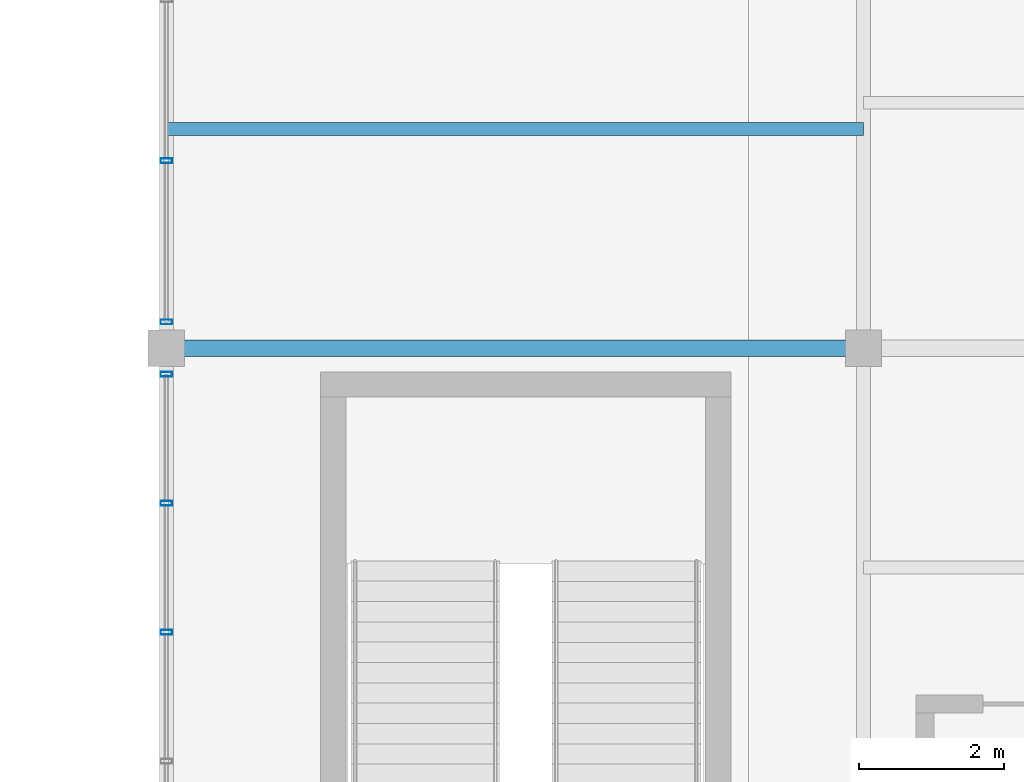
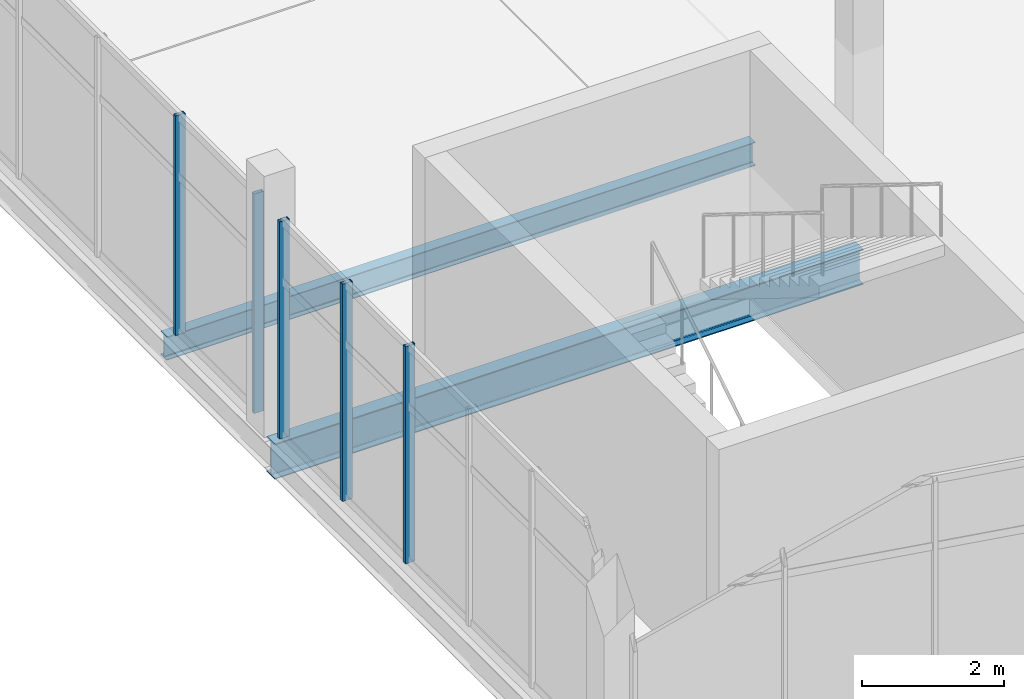
# One storey, part 51 of 114: 5 members, 2 beams, 2 elements without a shape of their own.
"""IFC4 building model written with IfcOpenShell, lengths in metres."""

from ifc_helpers import new_model, si_unit, direction, frame, origin, origin_2d, place, context, subcontext, project, spatial, hollow_rectangle, i_section, extrude, material, layer, layer_set, material_profile, profile_set, type_object, element, aggregate, save


model = new_model("IFC4")

# Units and contexts
model_context = context("Model", 3, precision=1e-05, world=origin(), true_north=direction((0.0, 1.0)))
body_context = subcontext(model_context, "Body", "Model", "MODEL_VIEW")
ifc_project = project(units=[si_unit("LENGTHUNIT", "METRE"), si_unit("AREAUNIT", "SQUARE_METRE"), si_unit("VOLUMEUNIT", "CUBIC_METRE"), si_unit("PLANEANGLEUNIT", "RADIAN"), si_unit("MASSUNIT", "GRAM", prefix="KILO")], contexts=[model_context])

# Site, building, storey
site_placement = place(None, origin())
site = spatial("IfcSite", under=ifc_project, at=site_placement, CompositionType="ELEMENT")
building_placement = place(site_placement, origin())
building = spatial("IfcBuilding", under=site, at=building_placement, Name="Chalmorin Arch Market", CompositionType="ELEMENT")
storey_placement = place(building_placement, frame((0.0, 0.0, 9.60009765625)))
storey = spatial("IfcBuildingStorey", under=building, at=storey_placement, Name="L02", CompositionType="ELEMENT", Elevation=9.60009765625)

# Curtain wall, members
ifc_material_1 = material(Name="Aluminium 6063-T6", Category="aluminium")
ifc_layer_1 = layer(ifc_material_1, 0.159912109375)
ifc_layer_set_1 = layer_set([ifc_layer_1], Name="Aluminium 6063-T6")
curtain_wall_type_1 = type_object("IfcCurtainWallType", Name="CulinaryStudioCurtainWall-CW3-8880x3750", PredefinedType="NOTDEFINED", material=ifc_layer_set_1)
curtain_wall_1_placement = place(storey_placement, origin())
curtain_wall_1 = element("IfcCurtainWall", 1, at=curtain_wall_1_placement, inside=storey, type_object=curtain_wall_type_1, Name="CW-03-108", PredefinedType="NOTDEFINED")
ifc_material_profile_1 = material_profile(ifc_material_1, hollow_rectangle(XDim=0.06494140625, YDim=0.159912109375, WallThickness=0.00390625, at=origin_2d()), Name="ALU65X160X4")
ifc_profile_set_1 = profile_set([ifc_material_profile_1], Name="Aluminium 6063-T6")
member_type = type_object("IfcMemberType", Name="CurtainWallMullion-65x160", PredefinedType="MULLION", material=ifc_profile_set_1)
member_1_placement = place(storey_placement, frame((48.0, 77.68798828125, 0.0), z_axis=(0.0, 0.0, 1.0), x_axis=(0.0, 1.0, 0.0)))
member_1 = element("IfcMember", 2, at=member_1_placement, type_object=member_type, Name="ML-108-04", PredefinedType="MULLION", context=body_context, shape_type="SweptSolid", body=[
    extrude(hollow_rectangle(XDim=0.06494140625, YDim=0.159912109375, WallThickness=0.00390625, at=origin_2d()), origin(), (0.0, 0.0, 1.0), 3.745849609375),
])
member_2_placement = place(storey_placement, frame((48.0, 79.464111328125, 0.0), z_axis=(0.0, 0.0, 1.0), x_axis=(0.0, 1.0, 0.0)))
member_2 = element("IfcMember", 3, at=member_2_placement, type_object=member_type, Name="ML-108-05", PredefinedType="MULLION", context=body_context, shape_type="SweptSolid", body=[
    extrude(hollow_rectangle(XDim=0.06494140625, YDim=0.159912109375, WallThickness=0.00390625, at=origin_2d()), origin(), (0.0, 0.0, 1.0), 3.745849609375),
])
member_3_placement = place(storey_placement, frame((48.0, 81.239990234375, 0.0), z_axis=(0.0, 0.0, 1.0), x_axis=(0.0, 1.0, 0.0)))
member_3 = element("IfcMember", 4, at=member_3_placement, type_object=member_type, Name="ML-108-06", PredefinedType="MULLION", context=body_context, shape_type="SweptSolid", body=[
    extrude(hollow_rectangle(XDim=0.06494140625, YDim=0.159912109375, WallThickness=0.00390625, at=origin_2d()), origin(), (0.0, 0.0, 1.0), 3.745849609375),
])
aggregate(curtain_wall_1, [member_1, member_2, member_3])

ifc_layer_2 = layer(ifc_material_1, 0.159912109375)
ifc_layer_set_2 = layer_set([ifc_layer_2], Name="Aluminium 6063-T6")
curtain_wall_type_2 = type_object("IfcCurtainWallType", Name="CulinaryStudioCurtainWall-CW3-8880x3790", PredefinedType="NOTDEFINED", material=ifc_layer_set_2)
curtain_wall_2_placement = place(storey_placement, origin())
curtain_wall_2 = element("IfcCurtainWall", 5, at=curtain_wall_2_placement, inside=storey, type_object=curtain_wall_type_2, Name="CW-03-111", PredefinedType="NOTDEFINED")
member_4_placement = place(storey_placement, frame((48.0, 81.9599609375, 0.0), z_axis=(0.0, 0.0, 1.0), x_axis=(0.0, 1.0, 0.0)))
member_4 = element("IfcMember", 6, at=member_4_placement, type_object=member_type, Name="ML-111-01", PredefinedType="MULLION", context=body_context, shape_type="SweptSolid", body=[
    extrude(hollow_rectangle(XDim=0.06494140625, YDim=0.159912109375, WallThickness=0.00390625, at=origin_2d()), origin(), (0.0, 0.0, 1.0), 3.785888671875),
])
member_5_placement = place(storey_placement, frame((48.0, 84.179931640625, 0.0), z_axis=(0.0, 0.0, 1.0), x_axis=(0.0, 1.0, 0.0)))
member_5 = element("IfcMember", 7, at=member_5_placement, type_object=member_type, Name="ML-111-02", PredefinedType="MULLION", context=body_context, shape_type="SweptSolid", body=[
    extrude(hollow_rectangle(XDim=0.06494140625, YDim=0.159912109375, WallThickness=0.00390625, at=origin_2d()), origin(), (0.0, 0.0, 1.0), 3.785888671875),
])
aggregate(curtain_wall_2, [member_4, member_5])

# Beams
ifc_material_2 = material(Name="Steel A992 Grade 50", Category="steel")
ifc_material_profile_2 = material_profile(ifc_material_2, i_section(OverallWidth=0.22802734375, OverallDepth=0.60791015625, WebThickness=0.01123046875, FlangeThickness=0.017333984375, FilletRadius=0.02392578125, at=origin_2d()), Name="W24X76")
ifc_profile_set_2 = profile_set([ifc_material_profile_2], Name="Steel A992 Grade 50")
beam_type_1 = type_object("IfcBeamType", Name="PrimarySteelGirder-W24X76", PredefinedType="BEAM", material=ifc_profile_set_2)
beam_1_placement = place(storey_placement, frame((48.0, 81.60009765625, -0.586181640625), z_axis=(1.0, 0.0, 0.0), x_axis=(0.0, 1.0, 0.0)))
element("IfcBeam", 8, at=beam_1_placement, inside=storey, type_object=beam_type_1, Name="BG-W24B-1220", PredefinedType="BEAM", context=body_context, shape_type="SweptSolid", body=[
    extrude(i_section(OverallWidth=0.22802734375, OverallDepth=0.60791015625, WebThickness=0.01123046875, FlangeThickness=0.017333984375, FilletRadius=0.02392578125, at=origin_2d()), origin(), (0.0, 0.0, 1.0), 9.60009765625),
])
ifc_material_profile_3 = material_profile(ifc_material_2, i_section(OverallWidth=0.177978515625, OverallDepth=0.403076171875, WebThickness=0.007568359375, FlangeThickness=0.010986328125, FilletRadius=0.01806640625, at=origin_2d()), Name="W16X36")
ifc_profile_set_3 = profile_set([ifc_material_profile_3], Name="Steel A992 Grade 50")
beam_type_2 = type_object("IfcBeamType", Name="SecondaryFloorJoist-W16X36", PredefinedType="JOIST", material=ifc_profile_set_3)
beam_2_placement = place(storey_placement, frame((48.0, 84.6201171875, -0.483642578125), z_axis=(1.0, 0.0, 0.0), x_axis=(0.0, 1.0, 0.0)))
element("IfcBeam", 9, at=beam_2_placement, inside=storey, type_object=beam_type_2, Name="BJ-W16B-1301", PredefinedType="JOIST", context=body_context, shape_type="SweptSolid", body=[
    extrude(i_section(OverallWidth=0.177978515625, OverallDepth=0.403076171875, WebThickness=0.007568359375, FlangeThickness=0.010986328125, FilletRadius=0.01806640625, at=origin_2d()), origin(), (0.0, 0.0, 1.0), 9.60009765625),
])

save(model, "model.ifc")
